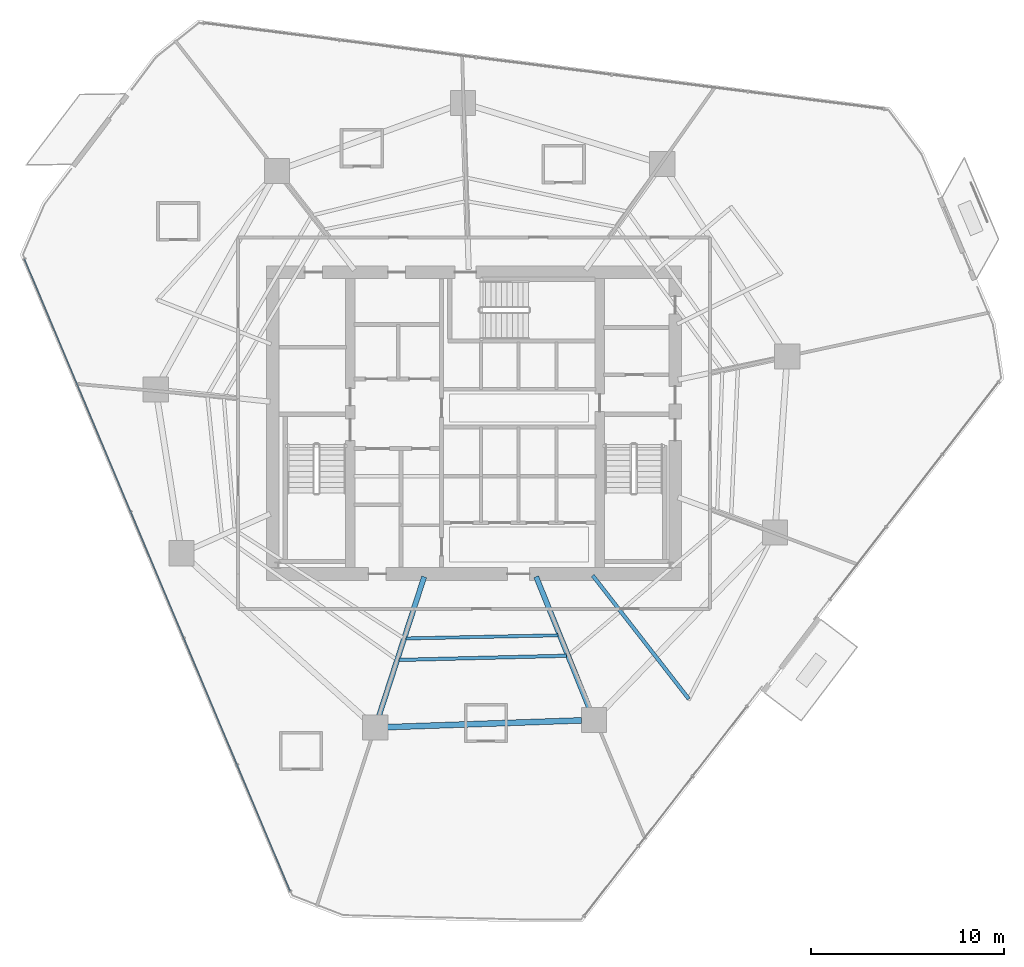
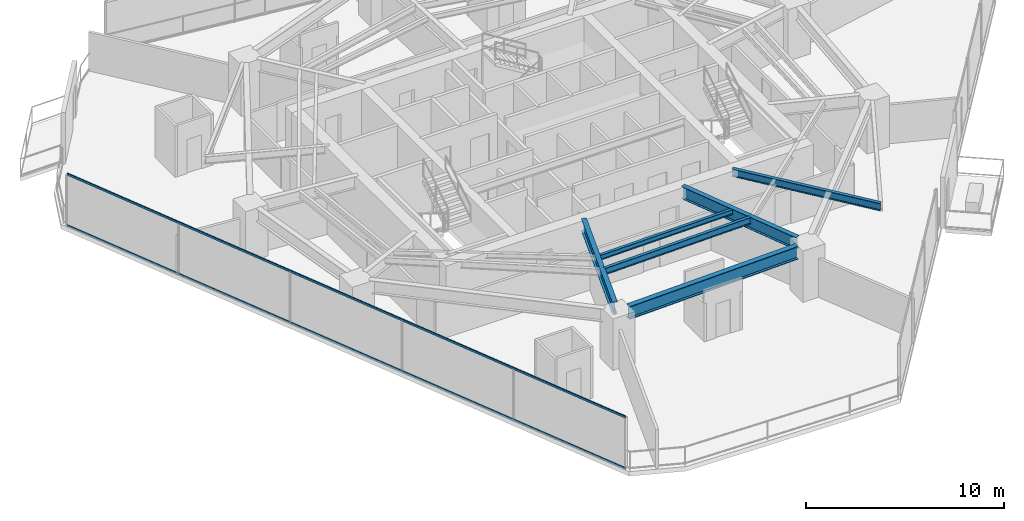
# One storey, part 6 of 30: 6 beams, 2 members, 1 element without a shape of its own.
"""IFC4 building model written with IfcOpenShell, lengths in metres."""

from ifc_helpers import new_model, si_unit, direction, frame, origin, origin_2d, place, context, subcontext, project, spatial, hollow_rectangle, i_section, extrude, material, layer, layer_set, material_profile, profile_set, type_object, element, aggregate, save


model = new_model("IFC4")

# Units and contexts
model_context = context("Model", 3, precision=1e-05, world=origin(), true_north=direction((0.0, 1.0)))
body_context = subcontext(model_context, "Body", "Model", "MODEL_VIEW")
ifc_project = project(units=[si_unit("LENGTHUNIT", "METRE"), si_unit("AREAUNIT", "SQUARE_METRE"), si_unit("VOLUMEUNIT", "CUBIC_METRE"), si_unit("PLANEANGLEUNIT", "RADIAN"), si_unit("MASSUNIT", "GRAM", prefix="KILO")], contexts=[model_context])

# Site, building, storey
site_placement = place(None, origin())
site = spatial("IfcSite", under=ifc_project, at=site_placement, CompositionType="ELEMENT")
building_placement = place(site_placement, origin())
building = spatial("IfcBuilding", under=site, at=building_placement, Name="Qarnah Convention Tower", CompositionType="ELEMENT")
storey_placement = place(building_placement, frame((0.0, 0.0, 40.800048828125)))
storey = spatial("IfcBuildingStorey", under=building, at=storey_placement, Name="L09", CompositionType="ELEMENT", Elevation=40.800048828125)

# Beams
ifc_material_1 = material(Name="Structural steel S355JR", Category="steel")
ifc_material_profile_1 = material_profile(ifc_material_1, i_section(OverallWidth=0.19189453125, OverallDepth=0.464111328125, WebThickness=0.010986328125, FlangeThickness=0.01806640625, at=origin_2d()), Name="W460X89")
ifc_profile_set_1 = profile_set([ifc_material_profile_1], Name="Structural steel S355JR")
beam_type_1 = type_object("IfcBeamType", Name="BM-CANT-W460A", PredefinedType="BEAM", material=ifc_profile_set_1)
beam_1_placement = place(storey_placement, frame((43.3310546875, 18.52099609375, 2.93798828125), z_axis=(0.61429570134, -0.789075909729, 0.0), x_axis=(0.789075909729, 0.61429570134, 0.0)))
element("IfcBeam", 1, at=beam_1_placement, inside=storey, type_object=beam_type_1, Name="L09 beam BM-L09-CNT-03-2", PredefinedType="BEAM", context=body_context, shape_type="SweptSolid", body=[
    extrude(i_section(OverallWidth=0.19189453125, OverallDepth=0.464111328125, WebThickness=0.010986328125, FlangeThickness=0.01806640625, at=origin_2d()), origin(), (0.0, 0.0, 1.0), 8.090576171875),
])
ifc_material_profile_2 = material_profile(ifc_material_1, i_section(OverallWidth=0.166015625, OverallDepth=0.31201171875, WebThickness=0.007080078125, FlangeThickness=0.010986328125, at=origin_2d()), Name="W310X45")
ifc_profile_set_2 = profile_set([ifc_material_profile_2], Name="Structural steel S355JR")
beam_type_2 = type_object("IfcBeamType", Name="BM-JST-W310", PredefinedType="JOIST", material=ifc_profile_set_2)
beam_2_placement = place(storey_placement, frame((33.672119140625, 15.26708984375, 3.013916015625), z_axis=(0.999788551821, 0.020563356906, 0.0), x_axis=(-0.020563356906, 0.999788551821, 0.0)))
element("IfcBeam", 2, at=beam_2_placement, inside=storey, type_object=beam_type_2, Name="L09 joist BM-L09-IJST-07", PredefinedType="JOIST", context=body_context, shape_type="SweptSolid", body=[
    extrude(i_section(OverallWidth=0.166015625, OverallDepth=0.31201171875, WebThickness=0.007080078125, FlangeThickness=0.010986328125, at=origin_2d()), origin(), (0.0, 0.0, 1.0), 7.87158203125),
])
ifc_material_profile_3 = material_profile(ifc_material_1, i_section(OverallWidth=0.177978515625, OverallDepth=0.407958984375, WebThickness=0.008056640625, FlangeThickness=0.012939453125, at=origin_2d()), Name="W410X60")
ifc_profile_set_3 = profile_set([ifc_material_profile_3], Name="Structural steel S355JR")
beam_type_3 = type_object("IfcBeamType", Name="BM-JST-W410", PredefinedType="JOIST", material=ifc_profile_set_3)
beam_3_placement = place(storey_placement, frame((33.31103515625, 14.156005859375, 2.966064453125), z_axis=(0.99968593615, 0.025060508057, 0.0), x_axis=(-0.025060508057, 0.99968593615, 0.0)))
element("IfcBeam", 3, at=beam_3_placement, inside=storey, type_object=beam_type_3, Name="L09 joist BM-L09-SJST-07", PredefinedType="JOIST", context=body_context, shape_type="SweptSolid", body=[
    extrude(i_section(OverallWidth=0.177978515625, OverallDepth=0.407958984375, WebThickness=0.008056640625, FlangeThickness=0.012939453125, at=origin_2d()), origin(), (0.0, 0.0, 1.0), 8.66064453125),
])
ifc_material_profile_4 = material_profile(ifc_material_1, i_section(OverallWidth=0.26806640625, OverallDepth=0.760009765625, WebThickness=0.014892578125, FlangeThickness=0.02197265625, at=origin_2d()), Name="W760X185")
ifc_profile_set_4 = profile_set([ifc_material_profile_4], Name="Structural steel S355JR")
beam_type_4 = type_object("IfcBeamType", Name="BM-RAD-W760", PredefinedType="BEAM", material=ifc_profile_set_4)
beam_4_placement = place(storey_placement, frame((34.6201171875, 18.45703125, 2.7900390625), z_axis=(-0.309057625925, -0.951043313345, 0.0), x_axis=(0.951043313345, -0.309057625925, 0.0)))
element("IfcBeam", 4, at=beam_4_placement, inside=storey, type_object=beam_type_4, Name="L09 beam BM-L09-RAD-07", PredefinedType="BEAM", context=body_context, shape_type="SweptSolid", body=[
    extrude(i_section(OverallWidth=0.26806640625, OverallDepth=0.760009765625, WebThickness=0.014892578125, FlangeThickness=0.02197265625, at=origin_2d()), origin(), (0.0, 0.0, 1.0), 7.568603515625),
])
beam_5_placement = place(storey_placement, frame((40.407958984375, 18.4609375, 2.7900390625), z_axis=(0.374586487969, -0.927191977441, 0.0), x_axis=(0.927191977441, 0.374586487969, 0.0)))
element("IfcBeam", 5, at=beam_5_placement, inside=storey, type_object=beam_type_4, Name="L09 beam BM-L09-RAD-08", PredefinedType="BEAM", context=body_context, shape_type="SweptSolid", body=[
    extrude(i_section(OverallWidth=0.26806640625, OverallDepth=0.760009765625, WebThickness=0.014892578125, FlangeThickness=0.02197265625, at=origin_2d()), origin(), (0.0, 0.0, 1.0), 7.357666015625),
])
ifc_material_profile_5 = material_profile(ifc_material_1, i_section(OverallWidth=0.300048828125, OverallDepth=0.800048828125, WebThickness=0.01806640625, FlangeThickness=0.032958984375, at=origin_2d()), Name="HEB800")
ifc_profile_set_5 = profile_set([ifc_material_profile_5], Name="Structural steel S355JR")
beam_type_5 = type_object("IfcBeamType", Name="BM-RING-HEB800", PredefinedType="BEAM", material=ifc_profile_set_5)
beam_6_placement = place(storey_placement, frame((32.72607421875, 10.681884765625, 2.77001953125), z_axis=(0.999388457365, 0.034967288783, 0.0), x_axis=(-0.034967288783, 0.999388457365, 0.0)))
element("IfcBeam", 6, at=beam_6_placement, inside=storey, type_object=beam_type_5, Name="L09 beam BM-L09-SPN-07", PredefinedType="BEAM", context=body_context, shape_type="SweptSolid", body=[
    extrude(i_section(OverallWidth=0.300048828125, OverallDepth=0.800048828125, WebThickness=0.01806640625, FlangeThickness=0.032958984375, at=origin_2d()), origin(), (0.0, 0.0, 1.0), 10.0400390625),
])

# Curtain wall, members
ifc_material_2 = material(Name="Tempered Low-E dark glass", Category="glass")
ifc_layer = layer(ifc_material_2, 0.16796875)
ifc_layer_set = layer_set([ifc_layer], Name="Tempered Low-E dark glass")
curtain_wall_type = type_object("IfcCurtainWallType", Name="CWS-01", PredefinedType="NOTDEFINED", material=ifc_layer_set)
curtain_wall_placement = place(storey_placement, origin())
curtain_wall = element("IfcCurtainWall", 7, at=curtain_wall_placement, inside=storey, type_object=curtain_wall_type, Name="L09 unitised curtain wall CW-L09-F1", PredefinedType="NOTDEFINED")
ifc_material_3 = material(Name="Black anodised aluminium", Category="aluminium")
ifc_material_profile_6 = material_profile(ifc_material_3, hollow_rectangle(XDim=0.06005859375, YDim=0.1298828125, WallThickness=0.00390625, at=origin_2d()), Name="TRN-60X130")
ifc_profile_set_6 = profile_set([ifc_material_profile_6], Name="Black anodised aluminium")
member_type = type_object("IfcMemberType", Name="TRN-T1", PredefinedType="USERDEFINED", material=ifc_profile_set_6)
member_1_placement = place(storey_placement, frame((27.68994140625, 2.201904296875, 0.0), z_axis=(-0.387512966216, 0.92186425303, 0.0), x_axis=(-0.92186425303, -0.387512966216, 0.0)))
member_1 = element("IfcMember", 8, at=member_1_placement, type_object=member_type, Name="CW-L09-F1 transom 1", ObjectType="TRANSOM", PredefinedType="USERDEFINED", context=body_context, shape_type="SweptSolid", body=[
    extrude(hollow_rectangle(XDim=0.06005859375, YDim=0.1298828125, WallThickness=0.00390625, at=origin_2d()), origin(), (0.0, 0.0, 1.0), 35.454345703125),
])
member_2_placement = place(storey_placement, frame((27.68994140625, 2.201904296875, 3.169921875), z_axis=(-0.387512966216, 0.92186425303, 0.0), x_axis=(-0.92186425303, -0.387512966216, 0.0)))
member_2 = element("IfcMember", 9, at=member_2_placement, type_object=member_type, Name="CW-L09-F1 transom 2", ObjectType="TRANSOM", PredefinedType="USERDEFINED", context=body_context, shape_type="SweptSolid", body=[
    extrude(hollow_rectangle(XDim=0.06005859375, YDim=0.1298828125, WallThickness=0.00390625, at=origin_2d()), origin(), (0.0, 0.0, 1.0), 35.454345703125),
])
aggregate(curtain_wall, [member_1, member_2])

save(model, "model.ifc")
